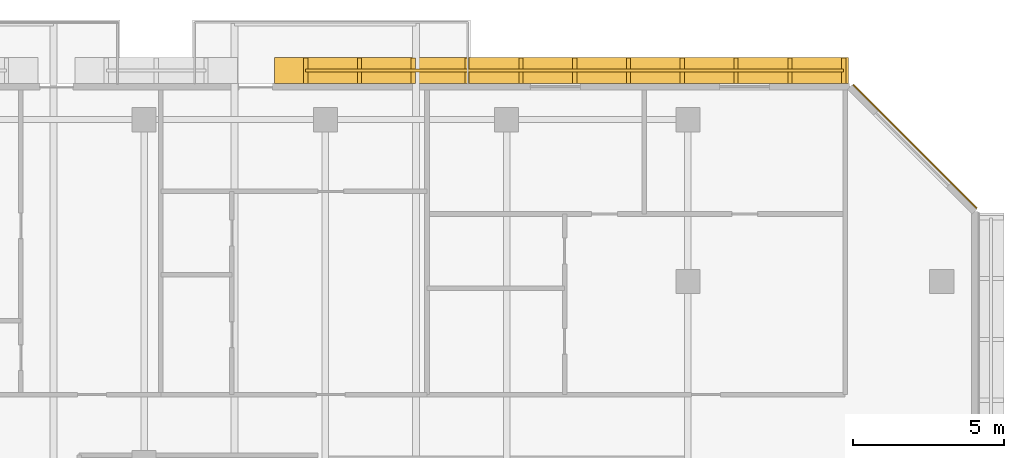
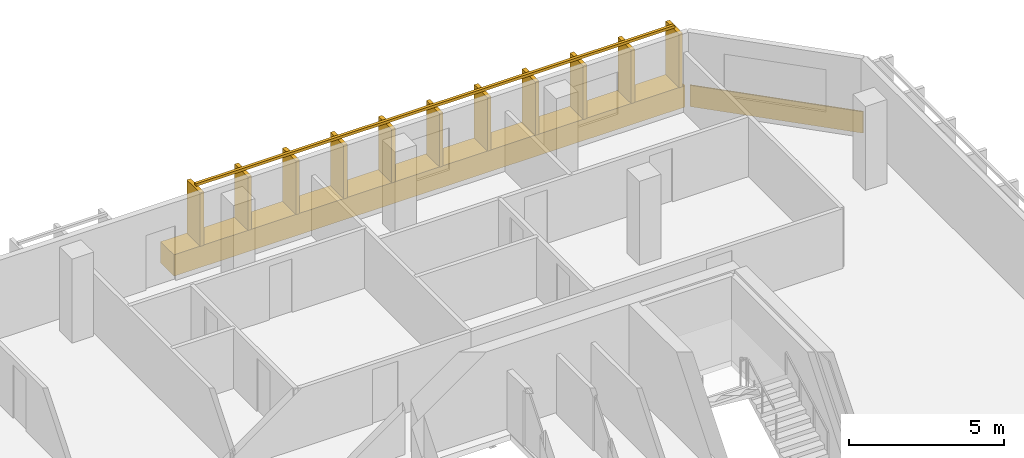
# One storey, part 16 of 16: 2 coverings, 1 railing.
"""IFC4 building model written with IfcOpenShell, lengths in metres."""

from ifc_helpers import new_model, si_unit, direction, frame, origin, origin_2d, place, context, subcontext, project, spatial, rectangle, extrude, material, layer, layer_set, type_object, element, save


model = new_model("IFC4")

# Units and contexts
model_context = context("Model", 3, precision=1e-05, world=origin(), true_north=direction((0.0, 1.0)))
body_context = subcontext(model_context, "Body", "Model", "MODEL_VIEW")
ifc_project = project(units=[si_unit("LENGTHUNIT", "METRE"), si_unit("AREAUNIT", "SQUARE_METRE"), si_unit("VOLUMEUNIT", "CUBIC_METRE"), si_unit("PLANEANGLEUNIT", "RADIAN"), si_unit("MASSUNIT", "GRAM", prefix="KILO")], contexts=[model_context])

# Site, building, storey
site_placement = place(None, origin())
site = spatial("IfcSite", under=ifc_project, at=site_placement, CompositionType="ELEMENT")
building_placement = place(site_placement, origin())
building = spatial("IfcBuilding", under=site, at=building_placement, Name="Tanjung Sevakor Pilgrim Tower", CompositionType="ELEMENT")
storey_placement = place(building_placement, frame((0.0, 0.0, 191.72998046875)))
storey = spatial("IfcBuildingStorey", under=building, at=storey_placement, Name="L53", CompositionType="ELEMENT", Elevation=191.72998046875)

# Coverings
ifc_material_1 = material(Name="Reconstructed Limestone Cladding", Category="masonry")
ifc_layer = layer(ifc_material_1, 0.044921875)
ifc_layer_set = layer_set([ifc_layer], Name="COV-CLAD-LIMESTONE")
covering_type = type_object("IfcCoveringType", Name="COV-CLAD-LIMESTONE", PredefinedType="CLADDING", material=ifc_layer_set)
covering_1_placement = place(storey_placement, frame((97.515869140625, 53.06591796875, 0.009765625), z_axis=(0.0, 0.0, 1.0), x_axis=(-0.707106781187, 0.707106781187, 0.0)))
element("IfcCovering", 1, at=covering_1_placement, inside=storey, type_object=covering_type, Name="L53 Warm Limestone Sill Spandrel EW-CHM-L53-MAIN-7-1", PredefinedType="CLADDING", context=body_context, shape_type="SweptSolid", body=[
    extrude(rectangle(XDim=5.7685546875, YDim=0.044921875, at=origin_2d()), origin(), (0.0, 0.0, 1.0), 0.840087890625),
])
covering_2_placement = place(storey_placement, frame((85.812255859375, 55.580078125, 0.009765625), z_axis=(0.0, 0.0, 1.0), x_axis=(-1.0, 0.0, 0.0)))
element("IfcCovering", 2, at=covering_2_placement, inside=storey, type_object=covering_type, Name="L53 Warm Limestone Sill Spandrel EW-L53-MAIN-9-1", PredefinedType="CLADDING", context=body_context, shape_type="SweptSolid", body=[
    extrude(rectangle(XDim=19.00439453125, YDim=0.860107421875, at=origin_2d()), origin(), (0.0, 0.0, 1.0), 0.840087890625),
])

# Railing
ifc_material_2 = material(Name="Anodised Bronze Aluminium 6063-T6", Category="aluminium")
railing_type = type_object("IfcRailingType", Name="RL-FIN-SCREEN", PredefinedType="BALUSTRADE", material=ifc_material_2)
railing_placement = place(storey_placement, frame((95.154296875, 55.574951171875, 0.840087890625)))
element("IfcRailing", 3, at=railing_placement, inside=storey, type_object=railing_type, Name="L53 Vertical Bronze-Gold Solar Fin Screen FNSCR-EW-L53-MAIN-9-1", PredefinedType="BALUSTRADE", context=body_context, shape_type="SweptSolid", body=[
    extrude(rectangle(XDim=0.105, YDim=0.105), frame((0.0, 0.0, 2.157470703125), z_axis=(-1.0, 0.0, 0.0), x_axis=(0.0, -1.0, 0.0)), (0.0, 0.0, 1.0), 17.80419921875),
    extrude(rectangle(XDim=0.14, YDim=0.85), origin(), (0.0, 0.0, 1.0), 2.10498046875),
    extrude(rectangle(XDim=0.14, YDim=0.85), frame((-1.780517578125, 0.0, 0.0)), (0.0, 0.0, 1.0), 2.10498046875),
    extrude(rectangle(XDim=0.14, YDim=0.85), frame((-3.560791015625, 0.0, 0.0)), (0.0, 0.0, 1.0), 2.10498046875),
    extrude(rectangle(XDim=0.14, YDim=0.85), frame((-5.34130859375, 0.0, 0.0)), (0.0, 0.0, 1.0), 2.10498046875),
    extrude(rectangle(XDim=0.14, YDim=0.85), frame((-7.12158203125, 0.0, 0.0)), (0.0, 0.0, 1.0), 2.10498046875),
    extrude(rectangle(XDim=0.14, YDim=0.85), frame((-8.902099609375, 0.0, 0.0)), (0.0, 0.0, 1.0), 2.10498046875),
    extrude(rectangle(XDim=0.14, YDim=0.85), frame((-10.6826171875, 0.0, 0.0)), (0.0, 0.0, 1.0), 2.10498046875),
    extrude(rectangle(XDim=0.14, YDim=0.85), frame((-12.462890625, 0.0, 0.0)), (0.0, 0.0, 1.0), 2.10498046875),
    extrude(rectangle(XDim=0.14, YDim=0.85), frame((-14.243408203125, 0.0, 0.0)), (0.0, 0.0, 1.0), 2.10498046875),
    extrude(rectangle(XDim=0.14, YDim=0.85), frame((-16.023681640625, 0.0, 0.0)), (0.0, 0.0, 1.0), 2.10498046875),
    extrude(rectangle(XDim=0.14, YDim=0.85), frame((-17.80419921875, 0.0, 0.0)), (0.0, 0.0, 1.0), 2.10498046875),
])

save(model, "model.ifc")
